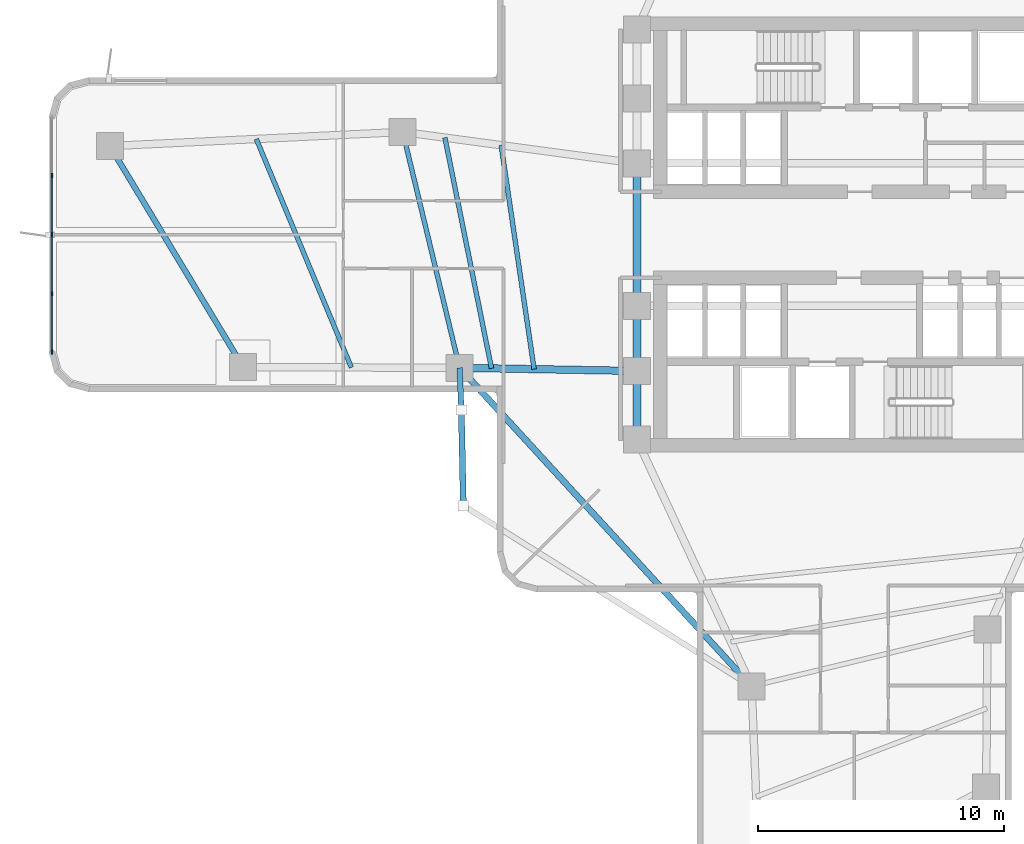
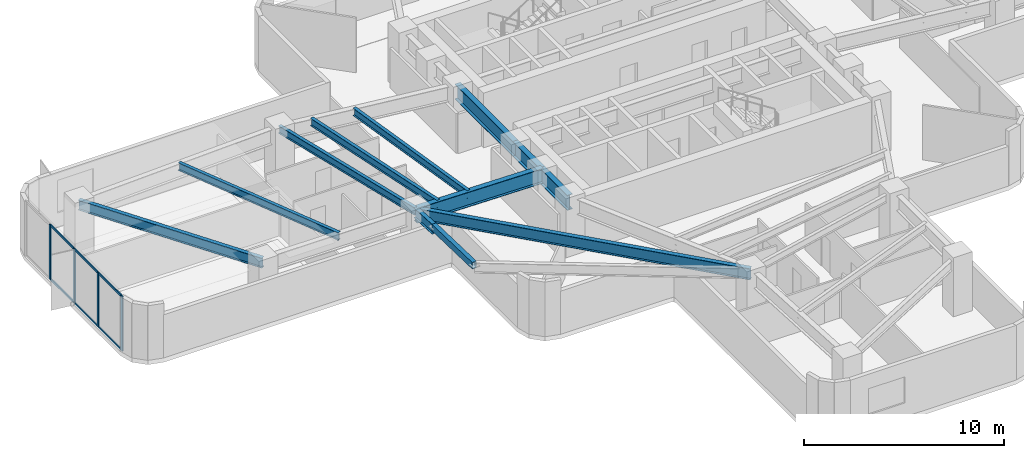
# One storey, part 2 of 14: 12 beams, 10 members, 1 element without a shape of its own.
"""IFC4 building model written with IfcOpenShell, lengths in metres."""

from ifc_helpers import new_model, si_unit, direction, frame, origin, origin_2d, place, context, subcontext, project, spatial, rectangle, hollow_rectangle, i_section, extrude, material, layer, layer_set, material_profile, profile_set, type_object, element, aggregate, save


model = new_model("IFC4")

# Units and contexts
model_context = context("Model", 3, precision=1e-05, world=origin(), true_north=direction((0.0, 1.0)))
body_context = subcontext(model_context, "Body", "Model", "MODEL_VIEW")
ifc_project = project(units=[si_unit("LENGTHUNIT", "METRE"), si_unit("AREAUNIT", "SQUARE_METRE"), si_unit("VOLUMEUNIT", "CUBIC_METRE"), si_unit("PLANEANGLEUNIT", "RADIAN"), si_unit("MASSUNIT", "GRAM", prefix="KILO")], contexts=[model_context])

# Site, building, storey
site_placement = place(None, origin())
site = spatial("IfcSite", under=ifc_project, at=site_placement, CompositionType="ELEMENT")
building_placement = place(site_placement, origin())
building = spatial("IfcBuilding", under=site, at=building_placement, Name="Solmarez Civic Tower", CompositionType="ELEMENT")
storey_placement = place(building_placement, frame((0.0, 0.0, 31.679931640625)))
storey = spatial("IfcBuildingStorey", under=building, at=storey_placement, Name="L07", CompositionType="ELEMENT", Elevation=31.679931640625)

# Beams
ifc_material_1 = material(Name="Steel S355", Category="steel")
ifc_material_profile_1 = material_profile(ifc_material_1, i_section(OverallWidth=0.19189453125, OverallDepth=0.462890625, WebThickness=0.010498046875, FlangeThickness=0.017578125, at=origin_2d()), Name="W18X60")
ifc_profile_set_1 = profile_set([ifc_material_profile_1], Name="Steel S355")
beam_type_1 = type_object("IfcBeamType", Name="BM-JS-W18X60", PredefinedType="JOIST", material=ifc_profile_set_1)
beam_1_placement = place(storey_placement, frame((-18.39111328125, 4.18408203125, 3.109130859375), z_axis=(0.234328919867, -0.97215737271, 0.0), x_axis=(0.97215737271, 0.234328919867, 0.0)))
element("IfcBeam", 1, at=beam_1_placement, inside=storey, type_object=beam_type_1, Name="L07 Secondary Floor Joist BM-L07-WA-T1", PredefinedType="JOIST", context=body_context, shape_type="SweptSolid", body=[
    extrude(i_section(OverallWidth=0.19189453125, OverallDepth=0.462890625, WebThickness=0.010498046875, FlangeThickness=0.017578125, at=origin_2d()), origin(), (0.0, 0.0, 1.0), 9.880126953125),
])
beam_2_placement = place(storey_placement, frame((-24.35498046875, 3.89697265625, 3.109130859375), z_axis=(0.384310898391, -0.923203733408, 0.0), x_axis=(0.923203733408, 0.384310898391, 0.0)))
element("IfcBeam", 2, at=beam_2_placement, inside=storey, type_object=beam_type_1, Name="L07 Secondary Floor Joist JS-L07-WA-M2", PredefinedType="JOIST", context=body_context, shape_type="SweptSolid", body=[
    extrude(i_section(OverallWidth=0.19189453125, OverallDepth=0.462890625, WebThickness=0.010498046875, FlangeThickness=0.017578125, at=origin_2d()), origin(), (0.0, 0.0, 1.0), 10.077880859375),
])
beam_3_placement = place(storey_placement, frame((-14.384033203125, 3.64501953125, 3.109130859375), z_axis=(0.145687649447, -0.989330636743, 0.0), x_axis=(0.989330636743, 0.145687649447, 0.0)))
element("IfcBeam", 3, at=beam_3_placement, inside=storey, type_object=beam_type_1, Name="L07 Secondary Floor Joist JS-L07-WA-M11", PredefinedType="JOIST", context=body_context, shape_type="SweptSolid", body=[
    extrude(i_section(OverallWidth=0.19189453125, OverallDepth=0.462890625, WebThickness=0.010498046875, FlangeThickness=0.017578125, at=origin_2d()), origin(), (0.0, 0.0, 1.0), 9.218505859375),
])
beam_4_placement = place(storey_placement, frame((-16.674072265625, 3.952880859375, 3.109130859375), z_axis=(0.198099134772, -0.980181989634, 0.0), x_axis=(0.980181989634, 0.198099134772, 0.0)))
element("IfcBeam", 4, at=beam_4_placement, inside=storey, type_object=beam_type_1, Name="L07 Secondary Floor Joist JS-L07-WA-M12", PredefinedType="JOIST", context=body_context, shape_type="SweptSolid", body=[
    extrude(i_section(OverallWidth=0.19189453125, OverallDepth=0.462890625, WebThickness=0.010498046875, FlangeThickness=0.017578125, at=origin_2d()), origin(), (0.0, 0.0, 1.0), 9.5869140625),
])
ifc_material_profile_2 = material_profile(ifc_material_1, i_section(OverallWidth=0.25390625, OverallDepth=0.68798828125, WebThickness=0.01318359375, FlangeThickness=0.02099609375, at=origin_2d()), Name="W27X102")
ifc_profile_set_2 = profile_set([ifc_material_profile_2], Name="Steel S355")
beam_type_2 = type_object("IfcBeamType", Name="BM-PR-W27X102", PredefinedType="BEAM", material=ifc_profile_set_2)
beam_5_placement = place(storey_placement, frame((-16.075927734375, -5.4208984375, 2.99609375), z_axis=(0.6758012736, -0.737083874875, 0.0), x_axis=(0.737083874875, 0.6758012736, 0.0)))
element("IfcBeam", 5, at=beam_5_placement, inside=storey, type_object=beam_type_2, Name="L07 Primary Floor Beam BM-L07-BALC-SWC", PredefinedType="BEAM", context=body_context, shape_type="SweptSolid", body=[
    extrude(i_section(OverallWidth=0.25390625, OverallDepth=0.68798828125, WebThickness=0.01318359375, FlangeThickness=0.02099609375, at=origin_2d()), origin(), (0.0, 0.0, 1.0), 17.5966796875),
])
ifc_material_profile_3 = material_profile(ifc_material_1, i_section(OverallWidth=0.303955078125, OverallDepth=0.910888671875, WebThickness=0.015869140625, FlangeThickness=0.02392578125, at=origin_2d()), Name="W36X150")
ifc_profile_set_3 = profile_set([ifc_material_profile_3], Name="Steel S355")
beam_type_3 = type_object("IfcBeamType", Name="BM-PR-W36X150", PredefinedType="BEAM", material=ifc_profile_set_3)
beam_6_placement = place(storey_placement, frame((-8.85009765625, -5.550048828125, 2.885009765625), z_axis=(-0.999840308455, 0.017870578882, 0.0), x_axis=(-0.017870578882, -0.999840308455, 0.0)))
element("IfcBeam", 6, at=beam_6_placement, inside=storey, type_object=beam_type_3, Name="L07 Primary Floor Beam BM-L07-WA-R1B", PredefinedType="BEAM", context=body_context, shape_type="SweptSolid", body=[
    extrude(i_section(OverallWidth=0.303955078125, OverallDepth=0.910888671875, WebThickness=0.015869140625, FlangeThickness=0.02392578125, at=origin_2d()), origin(), (0.0, 0.0, 1.0), 7.22705078125),
])
ifc_material_profile_4 = material_profile(ifc_material_1, i_section(OverallWidth=0.306884765625, OverallDepth=0.927001953125, WebThickness=0.019287109375, FlangeThickness=0.031982421875, at=origin_2d()), Name="W36X194")
ifc_profile_set_4 = profile_set([ifc_material_profile_4], Name="Steel S355")
beam_type_4 = type_object("IfcBeamType", Name="BM-PR-W36X194", PredefinedType="BEAM", material=ifc_profile_set_4)
beam_7_placement = place(storey_placement, frame((-8.85009765625, -8.35009765625, 2.8759765625), z_axis=(0.0, 1.0, 0.0), x_axis=(-1.0, 0.0, 0.0)))
element("IfcBeam", 7, at=beam_7_placement, inside=storey, type_object=beam_type_4, Name="L07 Primary Floor Beam BM-L07-HC12-HC1", PredefinedType="BEAM", context=body_context, shape_type="SweptSolid", body=[
    extrude(i_section(OverallWidth=0.306884765625, OverallDepth=0.927001953125, WebThickness=0.019287109375, FlangeThickness=0.031982421875, at=origin_2d()), origin(), (0.0, 0.0, 1.0), 2.800048828125),
])
beam_8_placement = place(storey_placement, frame((-8.85009765625, -5.550048828125, 2.8759765625), z_axis=(0.0, 1.0, 0.0), x_axis=(-1.0, 0.0, 0.0)))
element("IfcBeam", 8, at=beam_8_placement, inside=storey, type_object=beam_type_4, Name="L07 Primary Floor Beam BM-L07-HC1-HC2", PredefinedType="BEAM", context=body_context, shape_type="SweptSolid", body=[
    extrude(i_section(OverallWidth=0.306884765625, OverallDepth=0.927001953125, WebThickness=0.019287109375, FlangeThickness=0.031982421875, at=origin_2d()), origin(), (0.0, 0.0, 1.0), 2.650146484375),
])
beam_9_placement = place(storey_placement, frame((-8.85009765625, -2.89990234375, 2.8759765625), z_axis=(0.0, 1.0, 0.0), x_axis=(-1.0, 0.0, 0.0)))
element("IfcBeam", 9, at=beam_9_placement, inside=storey, type_object=beam_type_4, Name="L07 Primary Floor Beam BM-L07-HC2-HC3", PredefinedType="BEAM", context=body_context, shape_type="SweptSolid", body=[
    extrude(i_section(OverallWidth=0.306884765625, OverallDepth=0.927001953125, WebThickness=0.019287109375, FlangeThickness=0.031982421875, at=origin_2d()), origin(), (0.0, 0.0, 1.0), 5.7998046875),
])
ifc_material_profile_5 = material_profile(ifc_material_1, hollow_rectangle(XDim=0.25, YDim=0.39990234375, WallThickness=0.01611328125, at=origin_2d()), Name="HSS400X250X16")
ifc_profile_set_5 = profile_set([ifc_material_profile_5], Name="Steel S355")
beam_type_5 = type_object("IfcBeamType", Name="BM-SP-HSS400X250", PredefinedType="SPANDREL", material=ifc_profile_set_5)
beam_10_placement = place(storey_placement, frame((-16.00390625, -7.136962890625, 3.14013671875), z_axis=(0.020972217891, -0.999780058851, 0.0), x_axis=(0.999780058851, 0.020972217891, 0.0)))
element("IfcBeam", 10, at=beam_10_placement, inside=storey, type_object=beam_type_5, Name="L07 Perimeter Spandrel Beam BM-L07-BALC-SWE", PredefinedType="SPANDREL", context=body_context, shape_type="SweptSolid", body=[
    extrude(hollow_rectangle(XDim=0.25, YDim=0.39990234375, WallThickness=0.01611328125, at=origin_2d()), origin(), (0.0, 0.0, 1.0), 3.89990234375),
])
ifc_material_profile_6 = material_profile(ifc_material_1, i_section(OverallWidth=0.22900390625, OverallDepth=0.612060546875, WebThickness=0.011962890625, FlangeThickness=0.01953125, at=origin_2d()), Name="W24X84")
ifc_profile_set_6 = profile_set([ifc_material_profile_6], Name="Steel S355")
beam_type_6 = type_object("IfcBeamType", Name="BM-SP-W24X84", PredefinedType="SPANDREL", material=ifc_profile_set_6)
beam_11_placement = place(storey_placement, frame((-30.318115234375, 3.60888671875, 3.0341796875), z_axis=(0.516522901024, -0.856273374991, 0.0), x_axis=(0.856273374991, 0.516522901024, 0.0)))
element("IfcBeam", 11, at=beam_11_placement, inside=storey, type_object=beam_type_6, Name="L07 Perimeter Spandrel Beam BM-L07-WA-T2", PredefinedType="SPANDREL", context=body_context, shape_type="SweptSolid", body=[
    extrude(i_section(OverallWidth=0.22900390625, OverallDepth=0.612060546875, WebThickness=0.011962890625, FlangeThickness=0.01953125, at=origin_2d()), origin(), (0.0, 0.0, 1.0), 10.512939453125),
])
beam_12_placement = place(storey_placement, frame((-16.075927734375, -5.4208984375, 3.0341796875), z_axis=(0.041932072391, -0.999120463861, 0.0), x_axis=(0.999120463861, 0.041932072391, 0.0)))
element("IfcBeam", 12, at=beam_12_placement, inside=storey, type_object=beam_type_6, Name="L07 Perimeter Spandrel Beam BM-L07-BALC-SW1", PredefinedType="SPANDREL", context=body_context, shape_type="SweptSolid", body=[
    extrude(i_section(OverallWidth=0.22900390625, OverallDepth=0.612060546875, WebThickness=0.011962890625, FlangeThickness=0.01953125, at=origin_2d()), origin(), (0.0, 0.0, 1.0), 1.717529296875),
])

# Curtain wall, members
ifc_material_2 = material(Name="Bronze Anodised Aluminium EN AW-6063 T6", Category="aluminium")
ifc_layer = layer(ifc_material_2, 0.18505859375)
ifc_layer_set = layer_set([ifc_layer], Name="Bronze Anodised Aluminium EN AW-6063 T6")
curtain_wall_type = type_object("IfcCurtainWallType", Name="CW-SYS-2", PredefinedType="NOTDEFINED", material=ifc_layer_set)
curtain_wall_placement = place(storey_placement, origin())
curtain_wall = element("IfcCurtainWall", 13, at=curtain_wall_placement, inside=storey, type_object=curtain_wall_type, Name="L07 Stick-Built Curtain Wall 1", PredefinedType="NOTDEFINED")
ifc_material_profile_7 = material_profile(ifc_material_2, rectangle(XDim=0.070068359375, YDim=0.179931640625, at=origin_2d()), Name="CWM-70X180")
ifc_profile_set_7 = profile_set([ifc_material_profile_7], Name="Bronze Anodised Aluminium EN AW-6063 T6")
member_type_1 = type_object("IfcMemberType", Name="CWM-TYPE-2", PredefinedType="MULLION", material=ifc_profile_set_7)
member_1_placement = place(storey_placement, frame((-32.679931640625, -4.77392578125, 0.0), z_axis=(0.0, 0.0, 1.0), x_axis=(-1.0, 0.0, 0.0)))
member_1 = element("IfcMember", 14, at=member_1_placement, type_object=member_type_1, Name="CWS2 mullion 1", PredefinedType="MULLION", context=body_context, shape_type="SweptSolid", body=[
    extrude(rectangle(XDim=0.070068359375, YDim=0.179931640625, at=origin_2d()), origin(), (0.0, 0.0, 1.0), 3.340087890625),
])
member_2_placement = place(storey_placement, frame((-32.679931640625, -2.404541015625, 0.0), z_axis=(0.0, 0.0, 1.0), x_axis=(-1.0, 0.0, 0.0)))
member_2 = element("IfcMember", 15, at=member_2_placement, type_object=member_type_1, Name="CWS2 mullion 2", PredefinedType="MULLION", context=body_context, shape_type="SweptSolid", body=[
    extrude(rectangle(XDim=0.070068359375, YDim=0.179931640625, at=origin_2d()), origin(), (0.0, 0.0, 1.0), 3.340087890625),
])
member_3_placement = place(storey_placement, frame((-32.679931640625, 0.0, 0.0), z_axis=(0.0, 0.0, 1.0), x_axis=(-1.0, 0.0, 0.0)))
member_3 = element("IfcMember", 16, at=member_3_placement, type_object=member_type_1, Name="CWS2 mullion 3", PredefinedType="MULLION", context=body_context, shape_type="SweptSolid", body=[
    extrude(rectangle(XDim=0.070068359375, YDim=0.179931640625, at=origin_2d()), origin(), (0.0, 0.0, 1.0), 3.340087890625),
])
member_4_placement = place(storey_placement, frame((-32.679931640625, 2.404541015625, 0.0), z_axis=(0.0, 0.0, 1.0), x_axis=(-1.0, 0.0, 0.0)))
member_4 = element("IfcMember", 17, at=member_4_placement, type_object=member_type_1, Name="CWS2 mullion 4", PredefinedType="MULLION", context=body_context, shape_type="SweptSolid", body=[
    extrude(rectangle(XDim=0.070068359375, YDim=0.179931640625, at=origin_2d()), origin(), (0.0, 0.0, 1.0), 3.340087890625),
])
ifc_material_profile_8 = material_profile(ifc_material_2, rectangle(XDim=0.06494140625, YDim=0.125, at=origin_2d()), Name="CWT-65X125")
ifc_profile_set_8 = profile_set([ifc_material_profile_8], Name="Bronze Anodised Aluminium EN AW-6063 T6")
member_type_2 = type_object("IfcMemberType", Name="CWT-TYPE-2", PredefinedType="USERDEFINED", material=ifc_profile_set_8)
member_5_placement = place(storey_placement, frame((-32.679931640625, -4.739013671875, 0.032470703125), z_axis=(0.0, 1.0, 0.0), x_axis=(-1.0, 0.0, 0.0)))
member_5 = element("IfcMember", 18, at=member_5_placement, type_object=member_type_2, Name="CWS2 transom 1.1", ObjectType="TRANSOM", PredefinedType="USERDEFINED", context=body_context, shape_type="SweptSolid", body=[
    extrude(rectangle(XDim=0.06494140625, YDim=0.125, at=origin_2d()), origin(), (0.0, 0.0, 1.0), 2.299560546875),
])
member_6_placement = place(storey_placement, frame((-32.679931640625, -4.739013671875, 3.3076171875), z_axis=(0.0, 1.0, 0.0), x_axis=(-1.0, 0.0, 0.0)))
member_6 = element("IfcMember", 19, at=member_6_placement, type_object=member_type_2, Name="CWS2 transom 1.2", ObjectType="TRANSOM", PredefinedType="USERDEFINED", context=body_context, shape_type="SweptSolid", body=[
    extrude(rectangle(XDim=0.06494140625, YDim=0.125, at=origin_2d()), origin(), (0.0, 0.0, 1.0), 2.299560546875),
])
member_7_placement = place(storey_placement, frame((-32.679931640625, -2.369384765625, 0.032470703125), z_axis=(0.0, 1.0, 0.0), x_axis=(-1.0, 0.0, 0.0)))
member_7 = element("IfcMember", 20, at=member_7_placement, type_object=member_type_2, Name="CWS2 transom 2.1", ObjectType="TRANSOM", PredefinedType="USERDEFINED", context=body_context, shape_type="SweptSolid", body=[
    extrude(rectangle(XDim=0.06494140625, YDim=0.125, at=origin_2d()), origin(), (0.0, 0.0, 1.0), 2.33447265625),
])
member_8_placement = place(storey_placement, frame((-32.679931640625, -2.369384765625, 3.3076171875), z_axis=(0.0, 1.0, 0.0), x_axis=(-1.0, 0.0, 0.0)))
member_8 = element("IfcMember", 21, at=member_8_placement, type_object=member_type_2, Name="CWS2 transom 2.2", ObjectType="TRANSOM", PredefinedType="USERDEFINED", context=body_context, shape_type="SweptSolid", body=[
    extrude(rectangle(XDim=0.06494140625, YDim=0.125, at=origin_2d()), origin(), (0.0, 0.0, 1.0), 2.33447265625),
])
member_9_placement = place(storey_placement, frame((-32.679931640625, 0.034912109375, 0.032470703125), z_axis=(0.0, 1.0, 0.0), x_axis=(-1.0, 0.0, 0.0)))
member_9 = element("IfcMember", 22, at=member_9_placement, type_object=member_type_2, Name="CWS2 transom 3.1", ObjectType="TRANSOM", PredefinedType="USERDEFINED", context=body_context, shape_type="SweptSolid", body=[
    extrude(rectangle(XDim=0.06494140625, YDim=0.125, at=origin_2d()), origin(), (0.0, 0.0, 1.0), 2.33447265625),
])
member_10_placement = place(storey_placement, frame((-32.679931640625, 0.034912109375, 3.3076171875), z_axis=(0.0, 1.0, 0.0), x_axis=(-1.0, 0.0, 0.0)))
member_10 = element("IfcMember", 23, at=member_10_placement, type_object=member_type_2, Name="CWS2 transom 3.2", ObjectType="TRANSOM", PredefinedType="USERDEFINED", context=body_context, shape_type="SweptSolid", body=[
    extrude(rectangle(XDim=0.06494140625, YDim=0.125, at=origin_2d()), origin(), (0.0, 0.0, 1.0), 2.33447265625),
])
aggregate(curtain_wall, [member_1, member_2, member_3, member_4, member_5, member_6, member_7, member_8, member_9, member_10])

save(model, "model.ifc")
